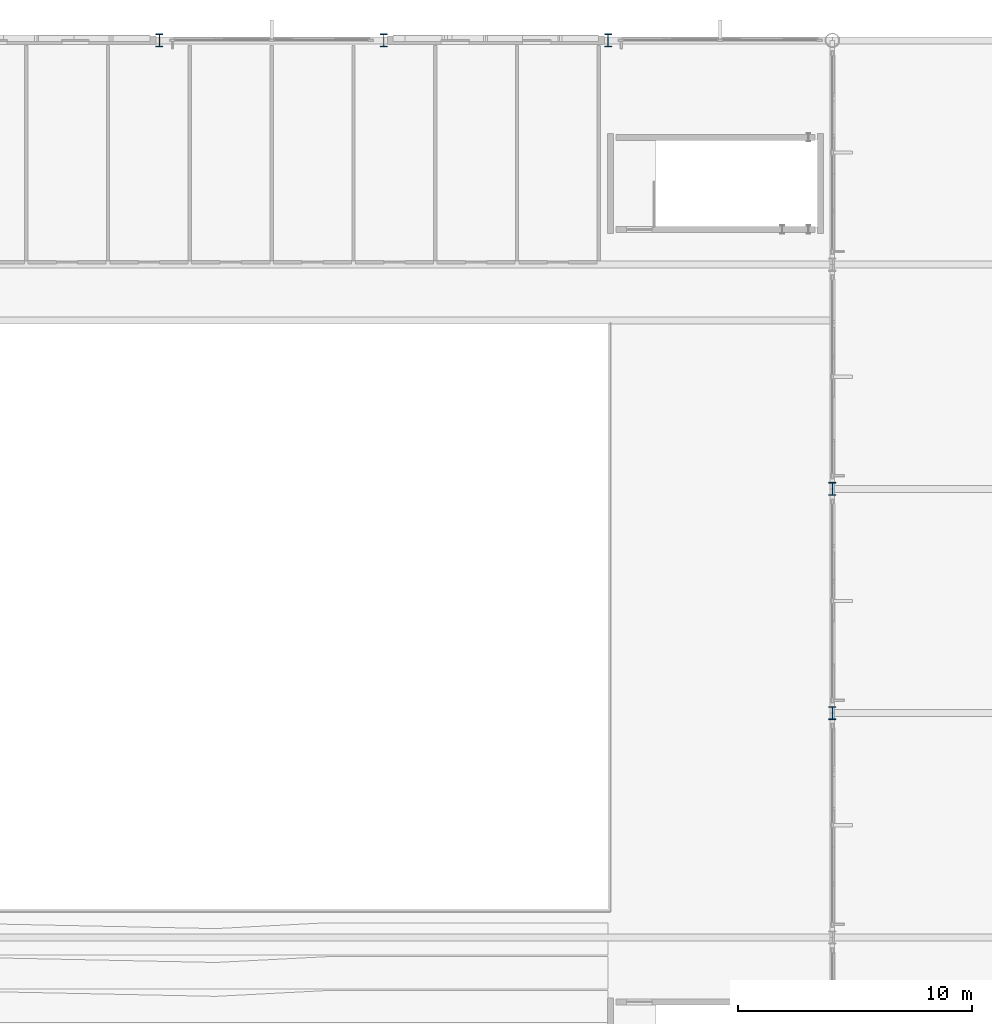
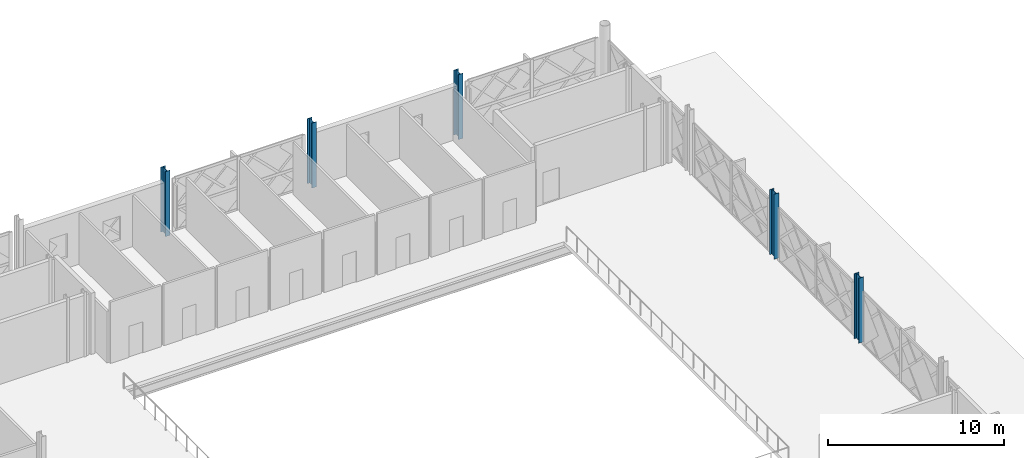
# One storey, part 21 of 101: 5 columns.
"""IFC4 building model written with IfcOpenShell, lengths in metres."""

from ifc_helpers import new_model, si_unit, direction, frame, origin, origin_2d, place, context, subcontext, project, spatial, i_section, extrude, material, material_profile, profile_set, type_object, element, save


model = new_model("IFC4")

# Units and contexts
model_context = context("Model", 3, precision=1e-05, world=origin(), true_north=direction((0.0, 1.0)))
body_context = subcontext(model_context, "Body", "Model", "MODEL_VIEW")
ifc_project = project(units=[si_unit("LENGTHUNIT", "METRE"), si_unit("AREAUNIT", "SQUARE_METRE"), si_unit("VOLUMEUNIT", "CUBIC_METRE"), si_unit("PLANEANGLEUNIT", "RADIAN"), si_unit("MASSUNIT", "GRAM", prefix="KILO")], contexts=[model_context])

# Site, building, storey
site_placement = place(None, origin())
site = spatial("IfcSite", under=ifc_project, at=site_placement, CompositionType="ELEMENT")
building_placement = place(site_placement, origin())
building = spatial("IfcBuilding", under=site, at=building_placement, Name="Zevrakil Square Congress Hotel", CompositionType="ELEMENT")
storey_placement = place(building_placement, frame((0.0, 0.0, 5.39990234375)))
storey = spatial("IfcBuildingStorey", under=building, at=storey_placement, Name="L02", CompositionType="ELEMENT", Elevation=5.39990234375)

# Columns
ifc_material = material(Name="Steel S355", Category="steel")
ifc_material_profile = material_profile(ifc_material, i_section(OverallWidth=0.300048828125, OverallDepth=0.550048828125, WebThickness=0.014892578125, FlangeThickness=0.029052734375, FilletRadius=0.027099609375, at=origin_2d()), Name="HEB 550")
ifc_profile_set = profile_set([ifc_material_profile], Name="Steel S355")
column_type = type_object("IfcColumnType", Name="COL-HEB550", PredefinedType="COLUMN", material=ifc_profile_set)
for number, where, z_axis, x_axis, name in (
    (1, (136.800048828125, 112.800048828125, 0.0), (0.0, 0.0, 1.0), (1.0, 0.0, 0.0), "L02 column C-211"),
    (2, (146.39990234375, 112.800048828125, 0.0), (0.0, 0.0, 1.0), (1.0, 0.0, 0.0), "L02 column C-218"),
    (3, (156.0, 112.800048828125, 0.0), (0.0, 0.0, 1.0), (1.0, 0.0, 0.0), "L02 column C-227"),
    (4, (165.60009765625, 84.0, 0.0), (0.0, 0.0, 1.0), (1.0, 0.0, 0.0), "L02 column C-237"),
    (5, (165.60009765625, 93.60009765625, 0.0), (0.0, 0.0, 1.0), (1.0, 0.0, 0.0), "L02 column C-238"),
):
    element("IfcColumn", number, at=place(storey_placement, frame(where, z_axis=z_axis, x_axis=x_axis)), inside=storey, type_object=column_type, Name=name, PredefinedType="COLUMN", context=body_context, shape_type="SweptSolid", body=[
        extrude(i_section(OverallWidth=0.300048828125, OverallDepth=0.550048828125, WebThickness=0.014892578125, FlangeThickness=0.029052734375, FilletRadius=0.027099609375, at=origin_2d()), origin(), (0.0, 0.0, 1.0), 4.5),
    ])

save(model, "model.ifc")
